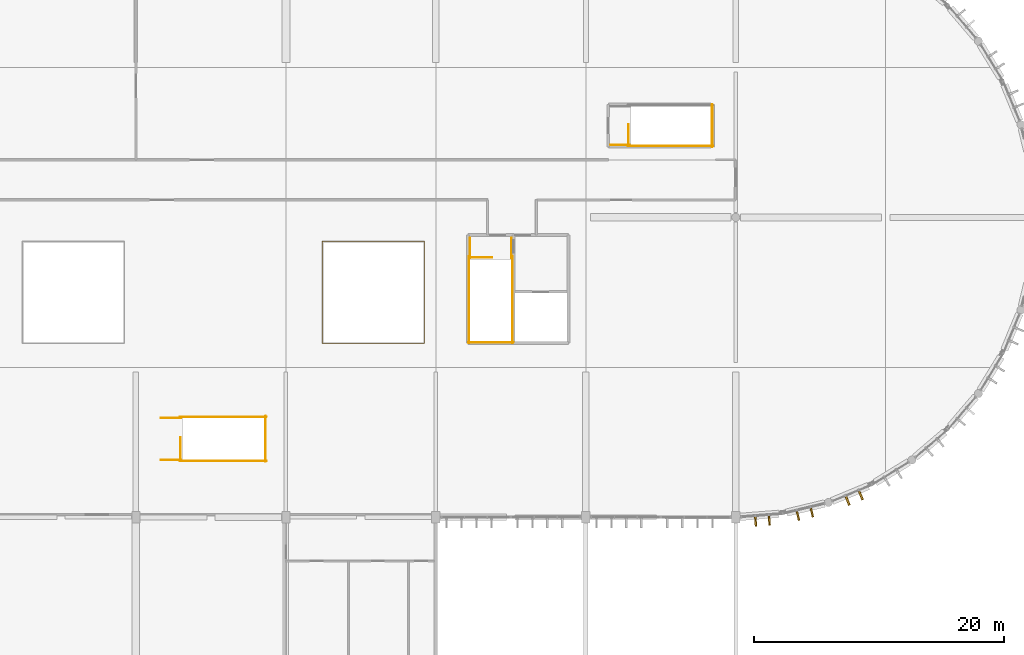
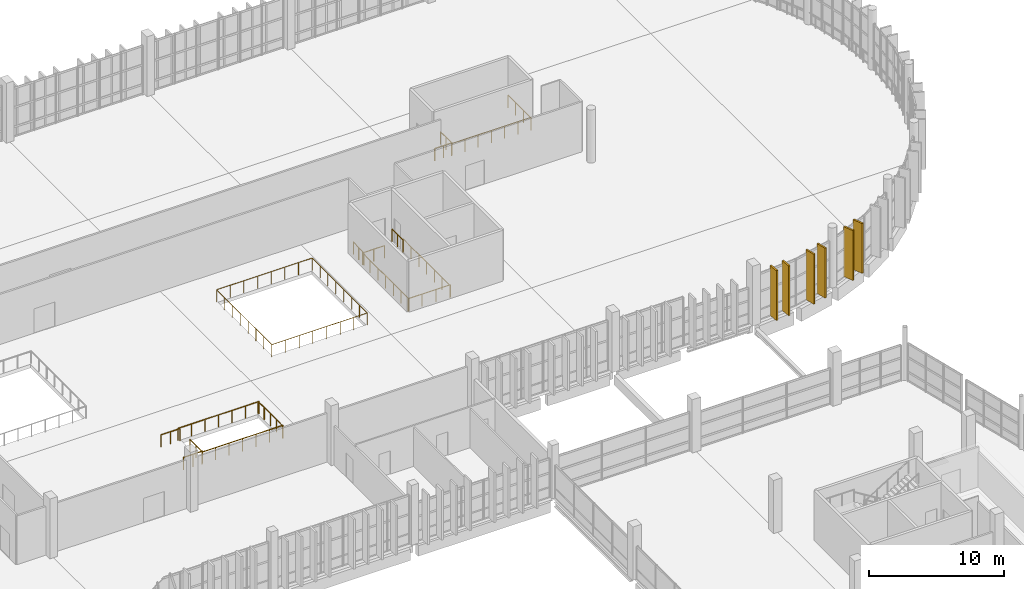
# One storey, part 109 of 112: 17 railings, 6 coverings.
"""IFC4 building model written with IfcOpenShell, lengths in metres."""

from ifc_helpers import new_model, si_unit, direction, frame, origin, origin_2d, place, context, subcontext, project, spatial, rectangle, circle, extrude, material, layer, layer_set, type_object, element, save


model = new_model("IFC4")

# Units and contexts
model_context = context("Model", 3, precision=1e-05, world=origin(), true_north=direction((0.0, 1.0)))
body_context = subcontext(model_context, "Body", "Model", "MODEL_VIEW")
ifc_project = project(units=[si_unit("LENGTHUNIT", "METRE"), si_unit("AREAUNIT", "SQUARE_METRE"), si_unit("VOLUMEUNIT", "CUBIC_METRE"), si_unit("PLANEANGLEUNIT", "RADIAN"), si_unit("MASSUNIT", "GRAM", prefix="KILO")], contexts=[model_context])

# Site, building, storey
site_placement = place(None, origin())
site = spatial("IfcSite", under=ifc_project, at=site_placement, CompositionType="ELEMENT")
building_placement = place(site_placement, origin())
building = spatial("IfcBuilding", under=site, at=building_placement, Name="Kamomehara Wholesale Market", CompositionType="ELEMENT")
storey_placement = place(building_placement, frame((0.0, 0.0, 6.60009765625)))
storey = spatial("IfcBuildingStorey", under=building, at=storey_placement, Name="L01", CompositionType="ELEMENT", Elevation=6.60009765625)

# Coverings
ifc_material_1 = material(Name="Anodised aluminium 6063-T5 Spectrum Red", Category="aluminium")
ifc_layer_1 = layer(ifc_material_1, 0.134033203125)
ifc_layer_set_1 = layer_set([ifc_layer_1], Name="Anodised aluminium 6063-T5 Spectrum Red")
covering_type_1 = type_object("IfcCoveringType", Name="COV-CLD-01", PredefinedType="CLADDING", material=ifc_layer_set_1)
covering_1_placement = place(storey_placement, frame((186.075927734375, 108.43701171875, 0.0), z_axis=(0.0, 0.0, 1.0), x_axis=(-0.972321006389, -0.233649011414, 0.0)))
element("IfcCovering", 1, at=covering_1_placement, inside=storey, type_object=covering_type_1, Name="Apse radial spectrum fin 197", PredefinedType="CLADDING", context=body_context, shape_type="SweptSolid", body=[
    extrude(rectangle(XDim=0.134033203125, YDim=0.85009765625, at=origin_2d()), origin(), (0.0, 0.0, 1.0), 4.5),
])
ifc_material_2 = material(Name="Anodised aluminium 6063-T5 Spectrum Orange", Category="aluminium")
ifc_layer_2 = layer(ifc_material_2, 0.135986328125)
ifc_layer_set_2 = layer_set([ifc_layer_2], Name="Anodised aluminium 6063-T5 Spectrum Orange")
covering_type_2 = type_object("IfcCoveringType", Name="COV-CLD-02", PredefinedType="CLADDING", material=ifc_layer_set_2)
covering_2_placement = place(storey_placement, frame((184.967041015625, 108.169921875, 0.0), z_axis=(0.0, 0.0, 1.0), x_axis=(-0.972321006389, -0.233649011414, 0.0)))
element("IfcCovering", 2, at=covering_2_placement, inside=storey, type_object=covering_type_2, Name="Apse radial spectrum fin 198", PredefinedType="CLADDING", context=body_context, shape_type="SweptSolid", body=[
    extrude(rectangle(XDim=0.135986328125, YDim=0.85009765625, at=origin_2d()), origin(), (0.0, 0.0, 1.0), 4.5),
])
ifc_material_3 = material(Name="Anodised aluminium 6063-T5 Spectrum Amber", Category="aluminium")
ifc_layer_3 = layer(ifc_material_3, 0.137939453125)
ifc_layer_set_3 = layer_set([ifc_layer_3], Name="Anodised aluminium 6063-T5 Spectrum Amber")
covering_type_3 = type_object("IfcCoveringType", Name="COV-CLD-03", PredefinedType="CLADDING", material=ifc_layer_set_3)
covering_3_placement = place(storey_placement, frame((182.680908203125, 107.803955078125, 0.0), z_axis=(0.0, 0.0, 1.0), x_axis=(-0.99692691188, -0.078337298714, 0.0)))
element("IfcCovering", 3, at=covering_3_placement, inside=storey, type_object=covering_type_3, Name="Apse radial spectrum fin 199", PredefinedType="CLADDING", context=body_context, shape_type="SweptSolid", body=[
    extrude(rectangle(XDim=0.137939453125, YDim=0.85009765625, at=origin_2d()), origin(), (0.0, 0.0, 1.0), 4.5),
])
ifc_material_4 = material(Name="Anodised aluminium 6063-T5 Spectrum Green", Category="aluminium")
ifc_layer_4 = layer(ifc_material_4, 0.139892578125)
ifc_layer_set_4 = layer_set([ifc_layer_4], Name="Anodised aluminium 6063-T5 Spectrum Green")
covering_type_4 = type_object("IfcCoveringType", Name="COV-CLD-04", PredefinedType="CLADDING", material=ifc_layer_set_4)
covering_4_placement = place(storey_placement, frame((181.5859375, 107.718017578125, 0.0), z_axis=(0.0, 0.0, 1.0), x_axis=(-0.99692691188, -0.078337298714, 0.0)))
element("IfcCovering", 4, at=covering_4_placement, inside=storey, type_object=covering_type_4, Name="Apse radial spectrum fin 200", PredefinedType="CLADDING", context=body_context, shape_type="SweptSolid", body=[
    extrude(rectangle(XDim=0.139892578125, YDim=0.85009765625, at=origin_2d()), origin(), (0.0, 0.0, 1.0), 4.5),
])
ifc_material_5 = material(Name="Anodised aluminium 6063-T5 Spectrum Blue", Category="aluminium")
ifc_layer_5 = layer(ifc_material_5, 0.14404296875)
ifc_layer_set_5 = layer_set([ifc_layer_5], Name="Anodised aluminium 6063-T5 Spectrum Blue")
covering_type_5 = type_object("IfcCoveringType", Name="COV-CLD-06", PredefinedType="CLADDING", material=ifc_layer_set_5)
covering_5_placement = place(storey_placement, frame((189.988037109375, 109.801025390625, 0.0), z_axis=(0.0, 0.0, 1.0), x_axis=(-0.923926279217, -0.382570556331, 0.0)))
element("IfcCovering", 5, at=covering_5_placement, inside=storey, type_object=covering_type_5, Name="Apse radial spectrum fin 195", PredefinedType="CLADDING", context=body_context, shape_type="SweptSolid", body=[
    extrude(rectangle(XDim=0.14404296875, YDim=0.85009765625, at=origin_2d()), origin(), (0.0, 0.0, 1.0), 4.5),
])
ifc_material_6 = material(Name="Anodised aluminium 6063-T5 Spectrum Violet", Category="aluminium")
ifc_layer_6 = layer(ifc_material_6, 0.14599609375)
ifc_layer_set_6 = layer_set([ifc_layer_6], Name="Anodised aluminium 6063-T5 Spectrum Violet")
covering_type_6 = type_object("IfcCoveringType", Name="COV-CLD-07", PredefinedType="CLADDING", material=ifc_layer_set_6)
covering_6_placement = place(storey_placement, frame((188.93505859375, 109.364990234375, 0.0), z_axis=(0.0, 0.0, 1.0), x_axis=(-0.923926279217, -0.382570556331, 0.0)))
element("IfcCovering", 6, at=covering_6_placement, inside=storey, type_object=covering_type_6, Name="Apse radial spectrum fin 196", PredefinedType="CLADDING", context=body_context, shape_type="SweptSolid", body=[
    extrude(rectangle(XDim=0.14599609375, YDim=0.85009765625, at=origin_2d()), origin(), (0.0, 0.0, 1.0), 4.5),
])

# Railings
ifc_material_7 = material(Name="Steel SN400B", Category="steel")
railing_type = type_object("IfcRailingType", Name="RAL-INT-1100", PredefinedType="BALUSTRADE", material=ifc_material_7)
railing_1_placement = place(storey_placement, frame((158.699951171875, 128.800048828125, 0.0)))
element("IfcRailing", 7, at=railing_1_placement, inside=storey, type_object=railing_type, Name="L01 ST-02 top well guard 1", PredefinedType="BALUSTRADE", context=body_context, shape_type="SweptSolid", body=[
    extrude(circle(Radius=0.02392578125, at=origin_2d()), frame((0.0, 0.0, 1.09619140625), z_axis=(1.0, 0.0, 0.0), x_axis=(0.0, 1.0, 0.0)), (0.0, 0.0, 1.0), 1.800048828125),
    extrude(circle(Radius=0.02099609375, at=origin_2d()), origin(), (0.0, 0.0, 1.0), 1.072021484375),
    extrude(circle(Radius=0.02099609375, at=origin_2d()), frame((0.89990234375, 0.0, 0.0)), (0.0, 0.0, 1.0), 1.072021484375),
    extrude(circle(Radius=0.02099609375, at=origin_2d()), frame((1.800048828125, 0.0, 0.0)), (0.0, 0.0, 1.0), 1.072021484375),
])
for number, where, name in (
    (8, (158.64990234375, 128.85009765625, 0.0), "L01 ST-02 top well guard 2"),
    (9, (162.14990234375, 128.85009765625, 0.0), "L01 ST-02 top well guard 3"),
):
    element("IfcRailing", number, at=place(storey_placement, frame(where)), inside=storey, type_object=railing_type, Name=name, PredefinedType="BALUSTRADE", context=body_context, shape_type="SweptSolid", body=[
        extrude(circle(Radius=0.02392578125, at=origin_2d()), frame((0.0, 0.0, 1.09619140625), z_axis=(0.0, -1.0, 0.0), x_axis=(1.0, 0.0, 0.0)), (0.0, 0.0, 1.0), 6.900146484375),
        extrude(circle(Radius=0.02099609375, at=origin_2d()), origin(), (0.0, 0.0, 1.0), 1.072021484375),
        extrude(circle(Radius=0.02099609375, at=origin_2d()), frame((0.0, -1.14990234375, 0.0)), (0.0, 0.0, 1.0), 1.072021484375),
        extrude(circle(Radius=0.02099609375, at=origin_2d()), frame((0.0, -2.300048828125, 0.0)), (0.0, 0.0, 1.0), 1.072021484375),
        extrude(circle(Radius=0.02099609375, at=origin_2d()), frame((0.0, -3.4501953125, 0.0)), (0.0, 0.0, 1.0), 1.072021484375),
        extrude(circle(Radius=0.02099609375, at=origin_2d()), frame((0.0, -4.60009765625, 0.0)), (0.0, 0.0, 1.0), 1.072021484375),
        extrude(circle(Radius=0.02099609375, at=origin_2d()), frame((0.0, -5.75, 0.0)), (0.0, 0.0, 1.0), 1.072021484375),
        extrude(circle(Radius=0.02099609375, at=origin_2d()), frame((0.0, -6.900146484375, 0.0)), (0.0, 0.0, 1.0), 1.072021484375),
    ])
railing_2_placement = place(storey_placement, frame((158.60009765625, 122.0, 0.0)))
element("IfcRailing", 10, at=railing_2_placement, inside=storey, type_object=railing_type, Name="L01 ST-02 top well guard 4", PredefinedType="BALUSTRADE", context=body_context, shape_type="SweptSolid", body=[
    extrude(circle(Radius=0.02392578125, at=origin_2d()), frame((0.0, 0.0, 1.09619140625), z_axis=(1.0, 0.0, 0.0), x_axis=(0.0, 1.0, 0.0)), (0.0, 0.0, 1.0), 3.599853515625),
    extrude(circle(Radius=0.02099609375, at=origin_2d()), origin(), (0.0, 0.0, 1.0), 1.072021484375),
    extrude(circle(Radius=0.02099609375, at=origin_2d()), frame((1.199951171875, 0.0, 0.0)), (0.0, 0.0, 1.0), 1.072021484375),
    extrude(circle(Radius=0.02099609375, at=origin_2d()), frame((2.39990234375, 0.0, 0.0)), (0.0, 0.0, 1.0), 1.072021484375),
    extrude(circle(Radius=0.02099609375, at=origin_2d()), frame((3.599853515625, 0.0, 0.0)), (0.0, 0.0, 1.0), 1.072021484375),
])
for number, where, name in (
    (11, (158.75, 130.35009765625, 0.0), "L01 ST-02 top well guard 5"),
    (12, (162.050048828125, 130.35009765625, 0.0), "L01 ST-02 top well guard 6"),
):
    element("IfcRailing", number, at=place(storey_placement, frame(where)), inside=storey, type_object=railing_type, Name=name, PredefinedType="BALUSTRADE", context=body_context, shape_type="SweptSolid", body=[
        extrude(circle(Radius=0.02392578125, at=origin_2d()), frame((0.0, 0.0, 1.09619140625), z_axis=(0.0, -1.0, 0.0), x_axis=(1.0, 0.0, 0.0)), (0.0, 0.0, 1.0), 1.60009765625),
        extrude(circle(Radius=0.02099609375, at=origin_2d()), origin(), (0.0, 0.0, 1.0), 1.072021484375),
        extrude(circle(Radius=0.02099609375, at=origin_2d()), frame((0.0, -0.800048828125, 0.0)), (0.0, 0.0, 1.0), 1.072021484375),
        extrude(circle(Radius=0.02099609375, at=origin_2d()), frame((0.0, -1.60009765625, 0.0)), (0.0, 0.0, 1.0), 1.072021484375),
    ])
railing_3_placement = place(storey_placement, frame((135.570068359375, 112.550048828125, 0.0)))
element("IfcRailing", 13, at=railing_3_placement, inside=storey, type_object=railing_type, Name="L01 ST-12 top well guard 1", PredefinedType="BALUSTRADE", context=body_context, shape_type="SweptSolid", body=[
    extrude(circle(Radius=0.02392578125, at=origin_2d()), frame((0.0, 0.0, 1.09619140625), z_axis=(0.0, 1.0, 0.0), x_axis=(-1.0, 0.0, 0.0)), (0.0, 0.0, 1.0), 1.820068359375),
    extrude(circle(Radius=0.02099609375, at=origin_2d()), origin(), (0.0, 0.0, 1.0), 1.072021484375),
    extrude(circle(Radius=0.02099609375, at=origin_2d()), frame((0.0, 0.91015625, 0.0)), (0.0, 0.0, 1.0), 1.072021484375),
    extrude(circle(Radius=0.02099609375, at=origin_2d()), frame((0.0, 1.820068359375, 0.0)), (0.0, 0.0, 1.0), 1.072021484375),
])
for number, where, name in (
    (14, (135.52001953125, 112.5, 0.0), "L01 ST-12 top well guard 2"),
    (15, (135.52001953125, 116.0400390625, 0.0), "L01 ST-12 top well guard 3"),
):
    element("IfcRailing", number, at=place(storey_placement, frame(where)), inside=storey, type_object=railing_type, Name=name, PredefinedType="BALUSTRADE", context=body_context, shape_type="SweptSolid", body=[
        extrude(circle(Radius=0.02392578125, at=origin_2d()), frame((0.0, 0.0, 1.09619140625), z_axis=(1.0, 0.0, 0.0), x_axis=(0.0, 1.0, 0.0)), (0.0, 0.0, 1.0), 6.919921875),
        extrude(circle(Radius=0.02099609375, at=origin_2d()), origin(), (0.0, 0.0, 1.0), 1.072021484375),
        extrude(circle(Radius=0.02099609375, at=origin_2d()), frame((1.1533203125, 0.0, 0.0)), (0.0, 0.0, 1.0), 1.072021484375),
        extrude(circle(Radius=0.02099609375, at=origin_2d()), frame((2.306640625, 0.0, 0.0)), (0.0, 0.0, 1.0), 1.072021484375),
        extrude(circle(Radius=0.02099609375, at=origin_2d()), frame((3.4599609375, 0.0, 0.0)), (0.0, 0.0, 1.0), 1.072021484375),
        extrude(circle(Radius=0.02099609375, at=origin_2d()), frame((4.61328125, 0.0, 0.0)), (0.0, 0.0, 1.0), 1.072021484375),
        extrude(circle(Radius=0.02099609375, at=origin_2d()), frame((5.7666015625, 0.0, 0.0)), (0.0, 0.0, 1.0), 1.072021484375),
        extrude(circle(Radius=0.02099609375, at=origin_2d()), frame((6.919921875, 0.0, 0.0)), (0.0, 0.0, 1.0), 1.072021484375),
    ])
railing_4_placement = place(storey_placement, frame((142.389892578125, 112.449951171875, 0.0)))
element("IfcRailing", 16, at=railing_4_placement, inside=storey, type_object=railing_type, Name="L01 ST-12 top well guard 4", PredefinedType="BALUSTRADE", context=body_context, shape_type="SweptSolid", body=[
    extrude(circle(Radius=0.02392578125, at=origin_2d()), frame((0.0, 0.0, 1.09619140625), z_axis=(0.0, 1.0, 0.0), x_axis=(-1.0, 0.0, 0.0)), (0.0, 0.0, 1.0), 3.64013671875),
    extrude(circle(Radius=0.02099609375, at=origin_2d()), origin(), (0.0, 0.0, 1.0), 1.072021484375),
    extrude(circle(Radius=0.02099609375, at=origin_2d()), frame((0.0, 0.91015625, 0.0)), (0.0, 0.0, 1.0), 1.072021484375),
    extrude(circle(Radius=0.02099609375, at=origin_2d()), frame((0.0, 1.820068359375, 0.0)), (0.0, 0.0, 1.0), 1.072021484375),
    extrude(circle(Radius=0.02099609375, at=origin_2d()), frame((0.0, 2.72998046875, 0.0)), (0.0, 0.0, 1.0), 1.072021484375),
    extrude(circle(Radius=0.02099609375, at=origin_2d()), frame((0.0, 3.64013671875, 0.0)), (0.0, 0.0, 1.0), 1.072021484375),
])
for number, where, name in (
    (17, (134.0, 112.60009765625, 0.0), "L01 ST-12 top well guard 5"),
    (18, (134.0, 115.93994140625, 0.0), "L01 ST-12 top well guard 6"),
):
    element("IfcRailing", number, at=place(storey_placement, frame(where)), inside=storey, type_object=railing_type, Name=name, PredefinedType="BALUSTRADE", context=body_context, shape_type="SweptSolid", body=[
        extrude(circle(Radius=0.02392578125, at=origin_2d()), frame((0.0, 0.0, 1.09619140625), z_axis=(1.0, 0.0, 0.0), x_axis=(0.0, 1.0, 0.0)), (0.0, 0.0, 1.0), 1.6201171875),
        extrude(circle(Radius=0.02099609375, at=origin_2d()), origin(), (0.0, 0.0, 1.0), 1.072021484375),
        extrude(circle(Radius=0.02099609375, at=origin_2d()), frame((0.81005859375, 0.0, 0.0)), (0.0, 0.0, 1.0), 1.072021484375),
        extrude(circle(Radius=0.02099609375, at=origin_2d()), frame((1.6201171875, 0.0, 0.0)), (0.0, 0.0, 1.0), 1.072021484375),
    ])
railing_5_placement = place(storey_placement, frame((171.43505859375, 137.75, 0.0)))
element("IfcRailing", 19, at=railing_5_placement, inside=storey, type_object=railing_type, Name="L01 ST-14 top well guard 1", PredefinedType="BALUSTRADE", context=body_context, shape_type="SweptSolid", body=[
    extrude(circle(Radius=0.02392578125, at=origin_2d()), frame((0.0, 0.0, 1.09619140625), z_axis=(0.0, 1.0, 0.0), x_axis=(-1.0, 0.0, 0.0)), (0.0, 0.0, 1.0), 1.68505859375),
    extrude(circle(Radius=0.02099609375, at=origin_2d()), origin(), (0.0, 0.0, 1.0), 1.072021484375),
    extrude(circle(Radius=0.02099609375, at=origin_2d()), frame((0.0, 0.842529296875, 0.0)), (0.0, 0.0, 1.0), 1.072021484375),
    extrude(circle(Radius=0.02099609375, at=origin_2d()), frame((0.0, 1.68505859375, 0.0)), (0.0, 0.0, 1.0), 1.072021484375),
])
railing_6_placement = place(storey_placement, frame((171.385009765625, 137.699951171875, 0.0)))
element("IfcRailing", 20, at=railing_6_placement, inside=storey, type_object=railing_type, Name="L01 ST-14 top well guard 2", PredefinedType="BALUSTRADE", context=body_context, shape_type="SweptSolid", body=[
    extrude(circle(Radius=0.02392578125, at=origin_2d()), frame((0.0, 0.0, 1.09619140625), z_axis=(1.0, 0.0, 0.0), x_axis=(0.0, 1.0, 0.0)), (0.0, 0.0, 1.0), 6.784912109375),
    extrude(circle(Radius=0.02099609375, at=origin_2d()), origin(), (0.0, 0.0, 1.0), 1.072021484375),
    extrude(circle(Radius=0.02099609375, at=origin_2d()), frame((1.130859375, 0.0, 0.0)), (0.0, 0.0, 1.0), 1.072021484375),
    extrude(circle(Radius=0.02099609375, at=origin_2d()), frame((2.26171875, 0.0, 0.0)), (0.0, 0.0, 1.0), 1.072021484375),
    extrude(circle(Radius=0.02099609375, at=origin_2d()), frame((3.392578125, 0.0, 0.0)), (0.0, 0.0, 1.0), 1.072021484375),
    extrude(circle(Radius=0.02099609375, at=origin_2d()), frame((4.523193359375, 0.0, 0.0)), (0.0, 0.0, 1.0), 1.072021484375),
    extrude(circle(Radius=0.02099609375, at=origin_2d()), frame((5.654052734375, 0.0, 0.0)), (0.0, 0.0, 1.0), 1.072021484375),
    extrude(circle(Radius=0.02099609375, at=origin_2d()), frame((6.784912109375, 0.0, 0.0)), (0.0, 0.0, 1.0), 1.072021484375),
])
railing_7_placement = place(storey_placement, frame((178.1201171875, 137.64990234375, 0.0)))
element("IfcRailing", 21, at=railing_7_placement, inside=storey, type_object=railing_type, Name="L01 ST-14 top well guard 4", PredefinedType="BALUSTRADE", context=body_context, shape_type="SweptSolid", body=[
    extrude(circle(Radius=0.02392578125, at=origin_2d()), frame((0.0, 0.0, 1.09619140625), z_axis=(0.0, 1.0, 0.0), x_axis=(-1.0, 0.0, 0.0)), (0.0, 0.0, 1.0), 3.3701171875),
    extrude(circle(Radius=0.02099609375, at=origin_2d()), origin(), (0.0, 0.0, 1.0), 1.072021484375),
    extrude(circle(Radius=0.02099609375, at=origin_2d()), frame((0.0, 1.123291015625, 0.0)), (0.0, 0.0, 1.0), 1.072021484375),
    extrude(circle(Radius=0.02099609375, at=origin_2d()), frame((0.0, 2.246826171875, 0.0)), (0.0, 0.0, 1.0), 1.072021484375),
    extrude(circle(Radius=0.02099609375, at=origin_2d()), frame((0.0, 3.3701171875, 0.0)), (0.0, 0.0, 1.0), 1.072021484375),
])
railing_8_placement = place(storey_placement, frame((170.0, 137.800048828125, 0.0)))
element("IfcRailing", 22, at=railing_8_placement, inside=storey, type_object=railing_type, Name="L01 ST-14 top well guard 5", PredefinedType="BALUSTRADE", context=body_context, shape_type="SweptSolid", body=[
    extrude(circle(Radius=0.02392578125, at=origin_2d()), frame((0.0, 0.0, 1.09619140625), z_axis=(1.0, 0.0, 0.0), x_axis=(0.0, 1.0, 0.0)), (0.0, 0.0, 1.0), 1.485107421875),
    extrude(circle(Radius=0.02099609375, at=origin_2d()), origin(), (0.0, 0.0, 1.0), 1.072021484375),
    extrude(circle(Radius=0.02099609375, at=origin_2d()), frame((0.74267578125, 0.0, 0.0)), (0.0, 0.0, 1.0), 1.072021484375),
    extrude(circle(Radius=0.02099609375, at=origin_2d()), frame((1.485107421875, 0.0, 0.0)), (0.0, 0.0, 1.0), 1.072021484375),
])
railing_9_placement = place(storey_placement, frame((155.080078125, 121.919921875, 0.0)))
element("IfcRailing", 23, at=railing_9_placement, inside=storey, type_object=railing_type, Name="Atrium void guard L01 4", PredefinedType="BALUSTRADE", context=body_context, shape_type="SweptSolid", body=[
    extrude(circle(Radius=0.02392578125, at=origin_2d()), frame((0.0, 0.0, 1.09619140625), z_axis=(-1.0, 0.0, 0.0), x_axis=(0.0, -1.0, 0.0)), (0.0, 0.0, 1.0), 8.16015625),
    extrude(circle(Radius=0.02392578125, at=origin_2d()), frame((-8.16015625, 0.0, 1.09619140625), z_axis=(0.0, 1.0, 0.0), x_axis=(-1.0, 0.0, 0.0)), (0.0, 0.0, 1.0), 8.16015625),
    extrude(circle(Radius=0.02392578125, at=origin_2d()), frame((-8.16015625, 8.16015625, 1.09619140625), z_axis=(1.0, 0.0, 0.0), x_axis=(0.0, 1.0, 0.0)), (0.0, 0.0, 1.0), 8.16015625),
    extrude(circle(Radius=0.02392578125, at=origin_2d()), frame((0.0, 8.16015625, 1.09619140625), z_axis=(0.0, -1.0, 0.0), x_axis=(1.0, 0.0, 0.0)), (0.0, 0.0, 1.0), 8.16015625),
    extrude(circle(Radius=0.02099609375, at=origin_2d()), origin(), (0.0, 0.0, 1.0), 1.072021484375),
    extrude(circle(Radius=0.02099609375, at=origin_2d()), frame((-1.165771484375, 0.0, 0.0)), (0.0, 0.0, 1.0), 1.072021484375),
    extrude(circle(Radius=0.02099609375, at=origin_2d()), frame((-2.33154296875, 0.0, 0.0)), (0.0, 0.0, 1.0), 1.072021484375),
    extrude(circle(Radius=0.02099609375, at=origin_2d()), frame((-3.497314453125, 0.0, 0.0)), (0.0, 0.0, 1.0), 1.072021484375),
    extrude(circle(Radius=0.02099609375, at=origin_2d()), frame((-4.662841796875, 0.0, 0.0)), (0.0, 0.0, 1.0), 1.072021484375),
    extrude(circle(Radius=0.02099609375, at=origin_2d()), frame((-5.82861328125, 0.0, 0.0)), (0.0, 0.0, 1.0), 1.072021484375),
    extrude(circle(Radius=0.02099609375, at=origin_2d()), frame((-6.994384765625, 0.0, 0.0)), (0.0, 0.0, 1.0), 1.072021484375),
    extrude(circle(Radius=0.02099609375, at=origin_2d()), frame((-8.16015625, 0.0, 0.0)), (0.0, 0.0, 1.0), 1.072021484375),
    extrude(circle(Radius=0.02099609375, at=origin_2d()), frame((-8.16015625, 1.165771484375, 0.0)), (0.0, 0.0, 1.0), 1.072021484375),
    extrude(circle(Radius=0.02099609375, at=origin_2d()), frame((-8.16015625, 2.33154296875, 0.0)), (0.0, 0.0, 1.0), 1.072021484375),
    extrude(circle(Radius=0.02099609375, at=origin_2d()), frame((-8.16015625, 3.497314453125, 0.0)), (0.0, 0.0, 1.0), 1.072021484375),
    extrude(circle(Radius=0.02099609375, at=origin_2d()), frame((-8.16015625, 4.662841796875, 0.0)), (0.0, 0.0, 1.0), 1.072021484375),
    extrude(circle(Radius=0.02099609375, at=origin_2d()), frame((-8.16015625, 5.82861328125, 0.0)), (0.0, 0.0, 1.0), 1.072021484375),
    extrude(circle(Radius=0.02099609375, at=origin_2d()), frame((-8.16015625, 6.994384765625, 0.0)), (0.0, 0.0, 1.0), 1.072021484375),
    extrude(circle(Radius=0.02099609375, at=origin_2d()), frame((-8.16015625, 8.16015625, 0.0)), (0.0, 0.0, 1.0), 1.072021484375),
    extrude(circle(Radius=0.02099609375, at=origin_2d()), frame((-6.994384765625, 8.16015625, 0.0)), (0.0, 0.0, 1.0), 1.072021484375),
    extrude(circle(Radius=0.02099609375, at=origin_2d()), frame((-5.82861328125, 8.16015625, 0.0)), (0.0, 0.0, 1.0), 1.072021484375),
    extrude(circle(Radius=0.02099609375, at=origin_2d()), frame((-4.662841796875, 8.16015625, 0.0)), (0.0, 0.0, 1.0), 1.072021484375),
    extrude(circle(Radius=0.02099609375, at=origin_2d()), frame((-3.497314453125, 8.16015625, 0.0)), (0.0, 0.0, 1.0), 1.072021484375),
    extrude(circle(Radius=0.02099609375, at=origin_2d()), frame((-2.33154296875, 8.16015625, 0.0)), (0.0, 0.0, 1.0), 1.072021484375),
    extrude(circle(Radius=0.02099609375, at=origin_2d()), frame((-1.165771484375, 8.16015625, 0.0)), (0.0, 0.0, 1.0), 1.072021484375),
    extrude(circle(Radius=0.02099609375, at=origin_2d()), frame((0.0, 8.16015625, 0.0)), (0.0, 0.0, 1.0), 1.072021484375),
    extrude(circle(Radius=0.02099609375, at=origin_2d()), frame((0.0, 6.994384765625, 0.0)), (0.0, 0.0, 1.0), 1.072021484375),
    extrude(circle(Radius=0.02099609375, at=origin_2d()), frame((0.0, 5.82861328125, 0.0)), (0.0, 0.0, 1.0), 1.072021484375),
    extrude(circle(Radius=0.02099609375, at=origin_2d()), frame((0.0, 4.662841796875, 0.0)), (0.0, 0.0, 1.0), 1.072021484375),
    extrude(circle(Radius=0.02099609375, at=origin_2d()), frame((0.0, 3.497314453125, 0.0)), (0.0, 0.0, 1.0), 1.072021484375),
    extrude(circle(Radius=0.02099609375, at=origin_2d()), frame((0.0, 2.33154296875, 0.0)), (0.0, 0.0, 1.0), 1.072021484375),
    extrude(circle(Radius=0.02099609375, at=origin_2d()), frame((0.0, 1.165771484375, 0.0)), (0.0, 0.0, 1.0), 1.072021484375),
])

save(model, "model.ifc")
